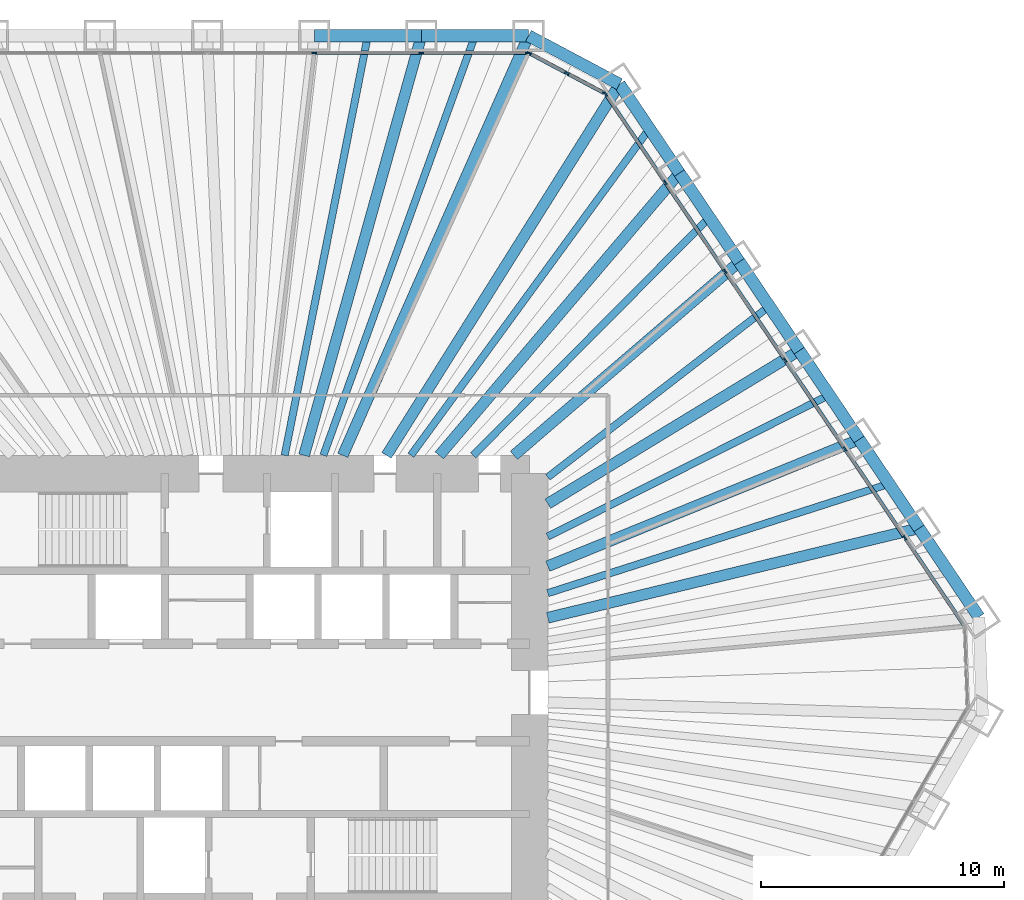
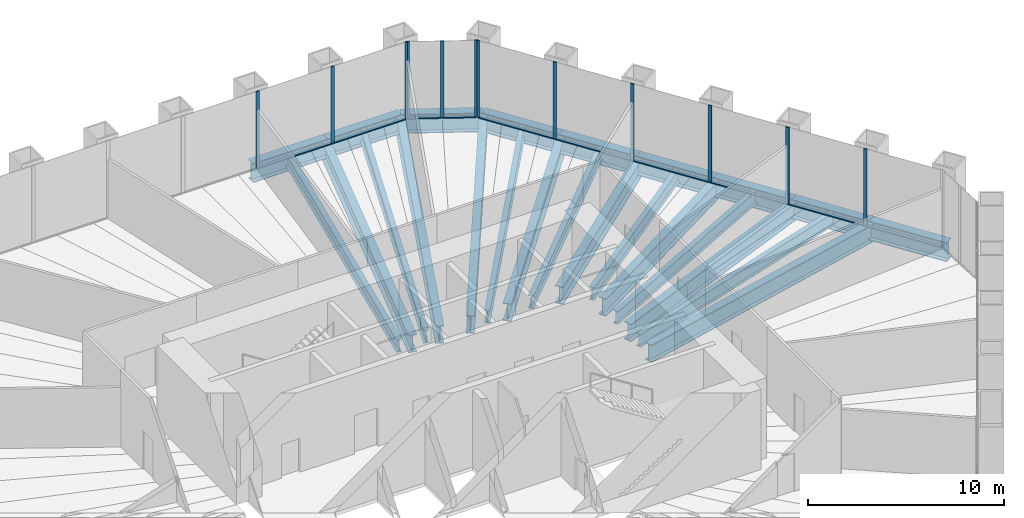
# One storey, part 7 of 13: 24 beams, 22 members, 3 elements without a shape of their own.
"""IFC4 building model written with IfcOpenShell, lengths in metres."""

from ifc_helpers import new_model, si_unit, direction, frame, origin, origin_2d, place, context, subcontext, project, spatial, rectangle, i_section, extrude, material, material_profile, profile_set, type_object, element, aggregate, save


model = new_model("IFC4")

# Units and contexts
model_context = context("Model", 3, precision=1e-05, world=origin(), true_north=direction((0.0, 1.0)))
body_context = subcontext(model_context, "Body", "Model", "MODEL_VIEW")
ifc_project = project(units=[si_unit("LENGTHUNIT", "METRE"), si_unit("AREAUNIT", "SQUARE_METRE"), si_unit("VOLUMEUNIT", "CUBIC_METRE"), si_unit("PLANEANGLEUNIT", "RADIAN"), si_unit("MASSUNIT", "GRAM", prefix="KILO")], contexts=[model_context])

# Site, building, storey
site_placement = place(None, origin())
site = spatial("IfcSite", under=ifc_project, at=site_placement, CompositionType="ELEMENT")
building_placement = place(site_placement, origin())
building = spatial("IfcBuilding", under=site, at=building_placement, Name="Qingtian Harvest Tower", CompositionType="ELEMENT")
storey_placement = place(building_placement, frame((0.0, 0.0, 67.0)))
storey = spatial("IfcBuildingStorey", under=building, at=storey_placement, Name="L13", CompositionType="ELEMENT", Elevation=67.0)

# Beams
ifc_material_1 = material(Name="Steel SM570MC", Category="steel")
ifc_material_profile_1 = material_profile(ifc_material_1, i_section(OverallWidth=0.449951171875, OverallDepth=1.10009765625, WebThickness=0.02197265625, FlangeThickness=0.044921875, at=origin_2d()), Name="H1100x450x22x45")
ifc_profile_set_1 = profile_set([ifc_material_profile_1], Name="Steel SM570MC")
beam_type_1 = type_object("IfcBeamType", Name="Corner floor beam FB8 H1100x450x22x45", PredefinedType="BEAM", material=ifc_profile_set_1)
beam_1_placement = place(storey_placement, frame((11.9560546875, 27.0, -0.75), z_axis=(-0.404898955654, -0.914361436036, 0.0), x_axis=(0.914361436036, -0.404898955654, 0.0)))
element("IfcBeam", 1, at=beam_1_placement, inside=storey, type_object=beam_type_1, Name="Floor beam FB8 N6", PredefinedType="BEAM", context=body_context, shape_type="SweptSolid", body=[
    extrude(i_section(OverallWidth=0.449951171875, OverallDepth=1.10009765625, WebThickness=0.02197265625, FlangeThickness=0.044921875, at=origin_2d()), origin(), (0.0, 0.0, 1.0), 18.86572265625),
])
beam_2_placement = place(storey_placement, frame((15.6982421875, 25.01025390625, -0.75), z_axis=(-0.531622796942, -0.846981228701, 0.0), x_axis=(0.846981228701, -0.531622796942, 0.0)))
element("IfcBeam", 2, at=beam_2_placement, inside=storey, type_object=beam_type_1, Name="Floor beam FB8 NE0", PredefinedType="BEAM", context=body_context, shape_type="SweptSolid", body=[
    extrude(i_section(OverallWidth=0.449951171875, OverallDepth=1.10009765625, WebThickness=0.02197265625, FlangeThickness=0.044921875, at=origin_2d()), origin(), (0.0, 0.0, 1.0), 18.017333984375),
])
ifc_material_2 = material(Name="Steel SM570MC", Category="steel")
ifc_material_profile_2 = material_profile(ifc_material_2, i_section(OverallWidth=0.449951171875, OverallDepth=1.10009765625, WebThickness=0.02197265625, FlangeThickness=0.044921875, at=origin_2d()), Name="H1100x450x22x45")
ifc_profile_set_2 = profile_set([ifc_material_profile_2], Name="Steel SM570MC")
beam_type_2 = type_object("IfcBeamType", Name="Floor beam FB1 H1100x450x22x45", PredefinedType="BEAM", material=ifc_profile_set_2)
beam_3_placement = place(storey_placement, frame((7.551513671875, 27.0, -0.75), z_axis=(-0.269343258019, -0.963044240604, 0.0), x_axis=(0.963044240604, -0.269343258019, 0.0)))
element("IfcBeam", 3, at=beam_3_placement, inside=storey, type_object=beam_type_2, Name="Floor beam FB1 N5", PredefinedType="BEAM", context=body_context, shape_type="SweptSolid", body=[
    extrude(i_section(OverallWidth=0.449951171875, OverallDepth=1.10009765625, WebThickness=0.02197265625, FlangeThickness=0.044921875, at=origin_2d()), origin(), (0.0, 0.0, 1.0), 17.911865234375),
])
beam_4_placement = place(storey_placement, frame((18.1611328125, 21.358642578125, -0.75), z_axis=(-0.647781887327, -0.761825850474, 0.0), x_axis=(0.761825850474, -0.647781887327, 0.0)))
element("IfcBeam", 4, at=beam_4_placement, inside=storey, type_object=beam_type_2, Name="Floor beam FB1 NE1", PredefinedType="BEAM", context=body_context, shape_type="SweptSolid", body=[
    extrude(i_section(OverallWidth=0.449951171875, OverallDepth=1.10009765625, WebThickness=0.02197265625, FlangeThickness=0.044921875, at=origin_2d()), origin(), (0.0, 0.0, 1.0), 15.238037109375),
])
beam_5_placement = place(storey_placement, frame((20.624267578125, 17.70703125, -0.75), z_axis=(-0.75873153072, -0.651403457384, 0.0), x_axis=(0.651403457384, -0.75873153072, 0.0)))
element("IfcBeam", 5, at=beam_5_placement, inside=storey, type_object=beam_type_2, Name="Floor beam FB1 NE2", PredefinedType="BEAM", context=body_context, shape_type="SweptSolid", body=[
    extrude(i_section(OverallWidth=0.449951171875, OverallDepth=1.10009765625, WebThickness=0.02197265625, FlangeThickness=0.044921875, at=origin_2d()), origin(), (0.0, 0.0, 1.0), 12.21533203125),
])
beam_6_placement = place(storey_placement, frame((23.08740234375, 14.0556640625, -0.75), z_axis=(-0.854157261259, -0.520014781558, 0.0), x_axis=(0.520014781558, -0.854157261259, 0.0)))
element("IfcBeam", 6, at=beam_6_placement, inside=storey, type_object=beam_type_2, Name="Floor beam FB1 NE3", PredefinedType="BEAM", context=body_context, shape_type="SweptSolid", body=[
    extrude(i_section(OverallWidth=0.449951171875, OverallDepth=1.10009765625, WebThickness=0.02197265625, FlangeThickness=0.044921875, at=origin_2d()), origin(), (0.0, 0.0, 1.0), 12.1025390625),
])
beam_7_placement = place(storey_placement, frame((25.55029296875, 10.404052734375, -0.75), z_axis=(-0.926156354735, -0.37713977062, 0.0), x_axis=(0.37713977062, -0.926156354735, 0.0)))
element("IfcBeam", 7, at=beam_7_placement, inside=storey, type_object=beam_type_2, Name="Floor beam FB1 NE4", PredefinedType="BEAM", context=body_context, shape_type="SweptSolid", body=[
    extrude(i_section(OverallWidth=0.449951171875, OverallDepth=1.10009765625, WebThickness=0.02197265625, FlangeThickness=0.044921875, at=origin_2d()), origin(), (0.0, 0.0, 1.0), 13.82080078125),
])
beam_8_placement = place(storey_placement, frame((28.013427734375, 6.75244140625, -0.75), z_axis=(-0.972155908389, -0.234334994792, 0.0), x_axis=(0.234334994792, -0.972155908389, 0.0)))
element("IfcBeam", 8, at=beam_8_placement, inside=storey, type_object=beam_type_2, Name="Floor beam FB1 NE5", PredefinedType="BEAM", context=body_context, shape_type="SweptSolid", body=[
    extrude(i_section(OverallWidth=0.449951171875, OverallDepth=1.10009765625, WebThickness=0.02197265625, FlangeThickness=0.044921875, at=origin_2d()), origin(), (0.0, 0.0, 1.0), 15.70068359375),
])
ifc_material_3 = material(Name="Steel SN490B", Category="steel")
ifc_material_profile_3 = material_profile(ifc_material_3, i_section(OverallWidth=0.300048828125, OverallDepth=0.800048828125, WebThickness=0.013916015625, FlangeThickness=0.02587890625, at=origin_2d()), Name="H800x300x14x26")
ifc_profile_set_3 = profile_set([ifc_material_profile_3], Name="Steel SN490B")
beam_type_3 = type_object("IfcBeamType", Name="Floor joist J1 H800x300x14x26", PredefinedType="JOIST", material=ifc_profile_set_3)
beam_9_placement = place(storey_placement, frame((5.349365234375, 27.0, -0.60009765625), z_axis=(-0.19435104803, -0.980932041545, 0.0), x_axis=(0.980932041545, -0.19435104803, 0.0)))
element("IfcBeam", 9, at=beam_9_placement, inside=storey, type_object=beam_type_3, Name="Floor joist J1 N4", PredefinedType="JOIST", context=body_context, shape_type="SweptSolid", body=[
    extrude(i_section(OverallWidth=0.300048828125, OverallDepth=0.800048828125, WebThickness=0.013916015625, FlangeThickness=0.02587890625, at=origin_2d()), origin(), (0.0, 0.0, 1.0), 17.585205078125),
])
beam_10_placement = place(storey_placement, frame((9.75390625, 27.0, -0.60009765625), z_axis=(-0.339766141765, -0.940509951521, 0.0), x_axis=(0.940509951521, -0.339766141765, 0.0)))
element("IfcBeam", 10, at=beam_10_placement, inside=storey, type_object=beam_type_3, Name="Floor joist J1 N5", PredefinedType="JOIST", context=body_context, shape_type="SweptSolid", body=[
    extrude(i_section(OverallWidth=0.300048828125, OverallDepth=0.800048828125, WebThickness=0.013916015625, FlangeThickness=0.02587890625, at=origin_2d()), origin(), (0.0, 0.0, 1.0), 18.341064453125),
])
beam_11_placement = place(storey_placement, frame((16.9296875, 23.1845703125, -0.60009765625), z_axis=(-0.589722175422, -0.80760618857, 0.0), x_axis=(0.80760618857, -0.589722175422, 0.0)))
element("IfcBeam", 11, at=beam_11_placement, inside=storey, type_object=beam_type_3, Name="Floor joist J1 NE0", PredefinedType="JOIST", context=body_context, shape_type="SweptSolid", body=[
    extrude(i_section(OverallWidth=0.300048828125, OverallDepth=0.800048828125, WebThickness=0.013916015625, FlangeThickness=0.02587890625, at=origin_2d()), origin(), (0.0, 0.0, 1.0), 16.635009765625),
])
beam_12_placement = place(storey_placement, frame((19.392822265625, 19.532958984375, -0.60009765625), z_axis=(-0.704560879039, -0.709643549768, 0.0), x_axis=(0.709643549768, -0.704560879039, 0.0)))
element("IfcBeam", 12, at=beam_12_placement, inside=storey, type_object=beam_type_3, Name="Floor joist J1 NE1", PredefinedType="JOIST", context=body_context, shape_type="SweptSolid", body=[
    extrude(i_section(OverallWidth=0.300048828125, OverallDepth=0.800048828125, WebThickness=0.013916015625, FlangeThickness=0.02587890625, at=origin_2d()), origin(), (0.0, 0.0, 1.0), 13.78564453125),
])
beam_13_placement = place(storey_placement, frame((21.855712890625, 15.88134765625, -0.60009765625), z_axis=(-0.79149450594, -0.611176281499, 0.0), x_axis=(0.611176281499, -0.79149450594, 0.0)))
element("IfcBeam", 13, at=beam_13_placement, inside=storey, type_object=beam_type_3, Name="Floor joist J1 NE2", PredefinedType="JOIST", context=body_context, shape_type="SweptSolid", body=[
    extrude(i_section(OverallWidth=0.300048828125, OverallDepth=0.800048828125, WebThickness=0.013916015625, FlangeThickness=0.02587890625, at=origin_2d()), origin(), (0.0, 0.0, 1.0), 11.50439453125),
])
beam_14_placement = place(storey_placement, frame((24.31884765625, 12.229736328125, -0.60009765625), z_axis=(-0.893391632689, -0.449278744924, 0.0), x_axis=(0.449278744924, -0.893391632689, 0.0)))
element("IfcBeam", 14, at=beam_14_placement, inside=storey, type_object=beam_type_3, Name="Floor joist J1 NE3", PredefinedType="JOIST", context=body_context, shape_type="SweptSolid", body=[
    extrude(i_section(OverallWidth=0.300048828125, OverallDepth=0.800048828125, WebThickness=0.013916015625, FlangeThickness=0.02587890625, at=origin_2d()), origin(), (0.0, 0.0, 1.0), 12.949462890625),
])
beam_15_placement = place(storey_placement, frame((26.78173828125, 8.578125, -0.60009765625), z_axis=(-0.952340804978, -0.305036048976, 0.0), x_axis=(0.305036048976, -0.952340804978, 0.0)))
element("IfcBeam", 15, at=beam_15_placement, inside=storey, type_object=beam_type_3, Name="Floor joist J1 NE4", PredefinedType="JOIST", context=body_context, shape_type="SweptSolid", body=[
    extrude(i_section(OverallWidth=0.300048828125, OverallDepth=0.800048828125, WebThickness=0.013916015625, FlangeThickness=0.02587890625, at=origin_2d()), origin(), (0.0, 0.0, 1.0), 14.73388671875),
])

# Curtain wall, members
ifc_material_4 = material(Name="Bronze-anodised aluminium curtain wall", Category="aluminium")
curtain_wall_type = type_object("IfcCurtainWallType", Name="Curtain wall CW2 farm reception", PredefinedType="USERDEFINED", material=ifc_material_4)
curtain_wall_1_placement = place(storey_placement, origin())
curtain_wall_1 = element("IfcCurtainWall", 16, at=curtain_wall_1_placement, inside=storey, type_object=curtain_wall_type, Name="Curtain wall CW2 L13 N0-5", ObjectType="RECESSED CURTAIN WALL", PredefinedType="USERDEFINED")
ifc_material_5 = material(Name="Bronze-anodised aluminium mullion", Category="aluminium")
ifc_material_profile_4 = material_profile(ifc_material_5, rectangle(XDim=0.06494140625, YDim=0.199951171875, at=origin_2d()), Name="AL 65x200")
ifc_profile_set_4 = profile_set([ifc_material_profile_4], Name="Bronze-anodised aluminium mullion")
member_type_1 = type_object("IfcMemberType", Name="Mullion CWM 65x200", PredefinedType="MULLION", material=ifc_profile_set_4)
member_1_placement = place(storey_placement, frame((3.14697265625, 26.300048828125, 0.0), z_axis=(0.0, 0.0, 1.0), x_axis=(0.0, 1.0, 0.0)))
member_1 = element("IfcMember", 17, at=member_1_placement, type_object=member_type_1, Name="CW2 mullion 5", PredefinedType="MULLION", context=body_context, shape_type="SweptSolid", body=[
    extrude(rectangle(XDim=0.06494140625, YDim=0.199951171875, at=origin_2d()), origin(), (0.0, 0.0, 1.0), 4.800048828125),
])
member_2_placement = place(storey_placement, frame((7.551513671875, 26.300048828125, 0.0), z_axis=(0.0, 0.0, 1.0), x_axis=(0.0, 1.0, 0.0)))
member_2 = element("IfcMember", 18, at=member_2_placement, type_object=member_type_1, Name="CW2 mullion 6", PredefinedType="MULLION", context=body_context, shape_type="SweptSolid", body=[
    extrude(rectangle(XDim=0.06494140625, YDim=0.199951171875, at=origin_2d()), origin(), (0.0, 0.0, 1.0), 4.800048828125),
])
member_3_placement = place(storey_placement, frame((11.923583984375, 26.300048828125, 0.0), z_axis=(0.0, 0.0, 1.0), x_axis=(0.0, 1.0, 0.0)))
member_3 = element("IfcMember", 19, at=member_3_placement, type_object=member_type_1, Name="CW2 mullion 7", PredefinedType="MULLION", context=body_context, shape_type="SweptSolid", body=[
    extrude(rectangle(XDim=0.06494140625, YDim=0.199951171875, at=origin_2d()), origin(), (0.0, 0.0, 1.0), 4.800048828125),
])

curtain_wall_2_placement = place(storey_placement, origin())
curtain_wall_2 = element("IfcCurtainWall", 20, at=curtain_wall_2_placement, inside=storey, type_object=curtain_wall_type, Name="Curtain wall CW2 L13 NC", ObjectType="RECESSED CURTAIN WALL", PredefinedType="USERDEFINED")
member_4_placement = place(storey_placement, frame((11.98486328125, 26.28466796875, 0.0), z_axis=(0.0, 0.0, 1.0), x_axis=(0.469471562786, 0.882947592859, 0.0)))
member_4 = element("IfcMember", 21, at=member_4_placement, type_object=member_type_1, Name="CW2 mullion 1", PredefinedType="MULLION", context=body_context, shape_type="SweptSolid", body=[
    extrude(rectangle(XDim=0.06494140625, YDim=0.199951171875, at=origin_2d()), origin(), (0.0, 0.0, 1.0), 4.800048828125),
])
member_5_placement = place(storey_placement, frame((13.537109375, 25.45947265625, 0.0), z_axis=(0.0, 0.0, 1.0), x_axis=(0.469471562786, 0.882947592859, 0.0)))
member_5 = element("IfcMember", 22, at=member_5_placement, type_object=member_type_1, Name="CW2 mullion 2", PredefinedType="MULLION", context=body_context, shape_type="SweptSolid", body=[
    extrude(rectangle(XDim=0.06494140625, YDim=0.199951171875, at=origin_2d()), origin(), (0.0, 0.0, 1.0), 4.800048828125),
])
member_6_placement = place(storey_placement, frame((15.089111328125, 24.634033203125, 0.0), z_axis=(0.0, 0.0, 1.0), x_axis=(0.469471562786, 0.882947592859, 0.0)))
member_6 = element("IfcMember", 23, at=member_6_placement, type_object=member_type_1, Name="CW2 mullion 3", PredefinedType="MULLION", context=body_context, shape_type="SweptSolid", body=[
    extrude(rectangle(XDim=0.06494140625, YDim=0.199951171875, at=origin_2d()), origin(), (0.0, 0.0, 1.0), 4.800048828125),
])

curtain_wall_3_placement = place(storey_placement, origin())
curtain_wall_3 = element("IfcCurtainWall", 24, at=curtain_wall_3_placement, inside=storey, type_object=curtain_wall_type, Name="Curtain wall CW2 L13 NE0-5", ObjectType="RECESSED CURTAIN WALL", PredefinedType="USERDEFINED")
member_7_placement = place(storey_placement, frame((15.135986328125, 24.592041015625, 0.0), z_axis=(0.0, 0.0, 1.0), x_axis=(0.829037572555, 0.559192903471, 0.0)))
member_7 = element("IfcMember", 25, at=member_7_placement, type_object=member_type_1, Name="CW2 mullion 1", PredefinedType="MULLION", context=body_context, shape_type="SweptSolid", body=[
    extrude(rectangle(XDim=0.06494140625, YDim=0.199951171875, at=origin_2d()), origin(), (0.0, 0.0, 1.0), 4.800048828125),
])
member_8_placement = place(storey_placement, frame((17.580810546875, 20.96728515625, 0.0), z_axis=(0.0, 0.0, 1.0), x_axis=(0.829037572555, 0.559192903471, 0.0)))
member_8 = element("IfcMember", 26, at=member_8_placement, type_object=member_type_1, Name="CW2 mullion 2", PredefinedType="MULLION", context=body_context, shape_type="SweptSolid", body=[
    extrude(rectangle(XDim=0.06494140625, YDim=0.199951171875, at=origin_2d()), origin(), (0.0, 0.0, 1.0), 4.800048828125),
])
member_9_placement = place(storey_placement, frame((20.0439453125, 17.315673828125, 0.0), z_axis=(0.0, 0.0, 1.0), x_axis=(0.829037572555, 0.559192903471, 0.0)))
member_9 = element("IfcMember", 27, at=member_9_placement, type_object=member_type_1, Name="CW2 mullion 3", PredefinedType="MULLION", context=body_context, shape_type="SweptSolid", body=[
    extrude(rectangle(XDim=0.06494140625, YDim=0.199951171875, at=origin_2d()), origin(), (0.0, 0.0, 1.0), 4.800048828125),
])
member_10_placement = place(storey_placement, frame((22.507080078125, 13.6640625, 0.0), z_axis=(0.0, 0.0, 1.0), x_axis=(0.829037572555, 0.559192903471, 0.0)))
member_10 = element("IfcMember", 28, at=member_10_placement, type_object=member_type_1, Name="CW2 mullion 4", PredefinedType="MULLION", context=body_context, shape_type="SweptSolid", body=[
    extrude(rectangle(XDim=0.06494140625, YDim=0.199951171875, at=origin_2d()), origin(), (0.0, 0.0, 1.0), 4.800048828125),
])
member_11_placement = place(storey_placement, frame((24.969970703125, 10.012451171875, 0.0), z_axis=(0.0, 0.0, 1.0), x_axis=(0.829037572555, 0.559192903471, 0.0)))
member_11 = element("IfcMember", 29, at=member_11_placement, type_object=member_type_1, Name="CW2 mullion 5", PredefinedType="MULLION", context=body_context, shape_type="SweptSolid", body=[
    extrude(rectangle(XDim=0.06494140625, YDim=0.199951171875, at=origin_2d()), origin(), (0.0, 0.0, 1.0), 4.800048828125),
])
member_12_placement = place(storey_placement, frame((27.43310546875, 6.36083984375, 0.0), z_axis=(0.0, 0.0, 1.0), x_axis=(0.829037572555, 0.559192903471, 0.0)))
member_12 = element("IfcMember", 30, at=member_12_placement, type_object=member_type_1, Name="CW2 mullion 6", PredefinedType="MULLION", context=body_context, shape_type="SweptSolid", body=[
    extrude(rectangle(XDim=0.06494140625, YDim=0.199951171875, at=origin_2d()), origin(), (0.0, 0.0, 1.0), 4.800048828125),
])

# Beams
ifc_material_6 = material(Name="Steel SM570MC", Category="steel")
ifc_material_profile_5 = material_profile(ifc_material_6, i_section(OverallWidth=0.5, OverallDepth=1.199951171875, WebThickness=0.02490234375, FlangeThickness=0.050048828125, at=origin_2d()), Name="H1200x500x25x50")
ifc_profile_set_5 = profile_set([ifc_material_profile_5], Name="Steel SM570MC")
beam_type_4 = type_object("IfcBeamType", Name="Spandrel beam SB1 H1200x500x25x50", PredefinedType="SPANDREL", material=ifc_profile_set_5)
for number, where, z_axis, x_axis, name in (
    (31, (3.14697265625, 27.0, -0.60009765625), (1.0, 0.0, 0.0), (0.0, 1.0, 0.0), "Spandrel SB1 N4"),
    (32, (7.551513671875, 27.0, -0.60009765625), (1.0, 0.0, 0.0), (0.0, 1.0, 0.0), "Spandrel SB1 N5"),
):
    element("IfcBeam", number, at=place(storey_placement, frame(where, z_axis=z_axis, x_axis=x_axis)), inside=storey, type_object=beam_type_4, Name=name, PredefinedType="SPANDREL", context=body_context, shape_type="SweptSolid", body=[
        extrude(i_section(OverallWidth=0.5, OverallDepth=1.199951171875, WebThickness=0.02490234375, FlangeThickness=0.050048828125, at=origin_2d()), origin(), (0.0, 0.0, 1.0), 4.404541015625),
    ])
beam_16_placement = place(storey_placement, frame((11.9560546875, 27.0, -0.60009765625), z_axis=(0.882948599748, -0.469469669099, 0.0), x_axis=(0.469469669099, 0.882948599748, 0.0)))
element("IfcBeam", 33, at=beam_16_placement, inside=storey, type_object=beam_type_4, Name="Spandrel SB1 NC", PredefinedType="SPANDREL", context=body_context, shape_type="SweptSolid", body=[
    extrude(i_section(OverallWidth=0.5, OverallDepth=1.199951171875, WebThickness=0.02490234375, FlangeThickness=0.050048828125, at=origin_2d()), origin(), (0.0, 0.0, 1.0), 4.23828125),
])
beam_17_placement = place(storey_placement, frame((15.6982421875, 25.01025390625, -0.60009765625), z_axis=(0.559169135272, -0.829053603912, 0.0), x_axis=(0.829053603912, 0.559169135272, 0.0)))
element("IfcBeam", 34, at=beam_17_placement, inside=storey, type_object=beam_type_4, Name="Spandrel SB1 NE0", PredefinedType="SPANDREL", context=body_context, shape_type="SweptSolid", body=[
    extrude(i_section(OverallWidth=0.5, OverallDepth=1.199951171875, WebThickness=0.02490234375, FlangeThickness=0.050048828125, at=origin_2d()), origin(), (0.0, 0.0, 1.0), 4.404541015625),
])
beam_18_placement = place(storey_placement, frame((18.1611328125, 21.358642578125, -0.60009765625), z_axis=(0.559207231603, -0.829027907928, 0.0), x_axis=(0.829027907928, 0.559207231603, 0.0)))
element("IfcBeam", 35, at=beam_18_placement, inside=storey, type_object=beam_type_4, Name="Spandrel SB1 NE1", PredefinedType="SPANDREL", context=body_context, shape_type="SweptSolid", body=[
    extrude(i_section(OverallWidth=0.5, OverallDepth=1.199951171875, WebThickness=0.02490234375, FlangeThickness=0.050048828125, at=origin_2d()), origin(), (0.0, 0.0, 1.0), 4.40478515625),
])
for number, where, z_axis, x_axis, name in (
    (36, (20.624267578125, 17.70703125, -0.60009765625), (0.559232928578, -0.829010573874, 0.0), (0.829010573874, 0.559232928578, 0.0), "Spandrel SB1 NE2"),
    (37, (23.08740234375, 14.0556640625, -0.60009765625), (0.559169135272, -0.829053603912, 0.0), (0.829053603912, 0.559169135272, 0.0), "Spandrel SB1 NE3"),
):
    element("IfcBeam", number, at=place(storey_placement, frame(where, z_axis=z_axis, x_axis=x_axis)), inside=storey, type_object=beam_type_4, Name=name, PredefinedType="SPANDREL", context=body_context, shape_type="SweptSolid", body=[
        extrude(i_section(OverallWidth=0.5, OverallDepth=1.199951171875, WebThickness=0.02490234375, FlangeThickness=0.050048828125, at=origin_2d()), origin(), (0.0, 0.0, 1.0), 4.404541015625),
    ])
beam_19_placement = place(storey_placement, frame((25.55029296875, 10.404052734375, -0.60009765625), z_axis=(0.559207231603, -0.829027907928, 0.0), x_axis=(0.829027907928, 0.559207231603, 0.0)))
element("IfcBeam", 38, at=beam_19_placement, inside=storey, type_object=beam_type_4, Name="Spandrel SB1 NE4", PredefinedType="SPANDREL", context=body_context, shape_type="SweptSolid", body=[
    extrude(i_section(OverallWidth=0.5, OverallDepth=1.199951171875, WebThickness=0.02490234375, FlangeThickness=0.050048828125, at=origin_2d()), origin(), (0.0, 0.0, 1.0), 4.40478515625),
])
beam_20_placement = place(storey_placement, frame((28.013427734375, 6.75244140625, -0.60009765625), z_axis=(0.559169135272, -0.829053603912, 0.0), x_axis=(0.829053603912, 0.559169135272, 0.0)))
element("IfcBeam", 39, at=beam_20_placement, inside=storey, type_object=beam_type_4, Name="Spandrel SB1 NE5", PredefinedType="SPANDREL", context=body_context, shape_type="SweptSolid", body=[
    extrude(i_section(OverallWidth=0.5, OverallDepth=1.199951171875, WebThickness=0.02490234375, FlangeThickness=0.050048828125, at=origin_2d()), origin(), (0.0, 0.0, 1.0), 4.404541015625),
])

# Member
ifc_material_7 = material(Name="Bronze-anodised aluminium transom", Category="aluminium")
ifc_material_profile_6 = material_profile(ifc_material_7, rectangle(XDim=0.14990234375, YDim=0.06494140625, at=origin_2d()), Name="AL 65x150")
ifc_profile_set_6 = profile_set([ifc_material_profile_6], Name="Bronze-anodised aluminium transom")
member_type_2 = type_object("IfcMemberType", Name="Transom CWT 65x150", PredefinedType="USERDEFINED", material=ifc_profile_set_6)
member_13_placement = place(storey_placement, frame((3.179443359375, 26.300048828125, 0.032470703125), z_axis=(1.0, 0.0, 0.0), x_axis=(0.0, 1.0, 0.0)))
member_13 = element("IfcMember", 40, at=member_13_placement, type_object=member_type_2, Name="CW2 transom 5.1", ObjectType="TRANSOM", PredefinedType="USERDEFINED", context=body_context, shape_type="SweptSolid", body=[
    extrude(rectangle(XDim=0.14990234375, YDim=0.06494140625, at=origin_2d()), origin(), (0.0, 0.0, 1.0), 4.339599609375),
])

member_14_placement = place(storey_placement, frame((7.583984375, 26.300048828125, 0.032470703125), z_axis=(1.0, 0.0, 0.0), x_axis=(0.0, 1.0, 0.0)))
member_14 = element("IfcMember", 41, at=member_14_placement, type_object=member_type_2, Name="CW2 transom 6.1", ObjectType="TRANSOM", PredefinedType="USERDEFINED", context=body_context, shape_type="SweptSolid", body=[
    extrude(rectangle(XDim=0.14990234375, YDim=0.06494140625, at=origin_2d()), origin(), (0.0, 0.0, 1.0), 4.30712890625),
])

aggregate(curtain_wall_1, [member_1, member_2, member_3, member_13, member_14])

member_15_placement = place(storey_placement, frame((12.013427734375, 26.26953125, 0.032470703125), z_axis=(0.882927080927, -0.469510138086, 0.0), x_axis=(0.469510138086, 0.882927080927, 0.0)))
member_15 = element("IfcMember", 42, at=member_15_placement, type_object=member_type_2, Name="CW2 transom 1.1", ObjectType="TRANSOM", PredefinedType="USERDEFINED", context=body_context, shape_type="SweptSolid", body=[
    extrude(rectangle(XDim=0.14990234375, YDim=0.06494140625, at=origin_2d()), origin(), (0.0, 0.0, 1.0), 1.693115234375),
])

member_16_placement = place(storey_placement, frame((13.565673828125, 25.444091796875, 0.032470703125), z_axis=(0.882986854304, -0.469397715297, 0.0), x_axis=(0.469397715297, 0.882986854304, 0.0)))
member_16 = element("IfcMember", 43, at=member_16_placement, type_object=member_type_2, Name="CW2 transom 2.1", ObjectType="TRANSOM", PredefinedType="USERDEFINED", context=body_context, shape_type="SweptSolid", body=[
    extrude(rectangle(XDim=0.14990234375, YDim=0.06494140625, at=origin_2d()), origin(), (0.0, 0.0, 1.0), 1.69287109375),
])

aggregate(curtain_wall_2, [member_4, member_5, member_6, member_15, member_16])

member_17_placement = place(storey_placement, frame((15.154296875, 24.56494140625, 0.032470703125), z_axis=(0.559178817275, -0.82904707364, 0.0), x_axis=(0.82904707364, 0.559178817275, 0.0)))
member_17 = element("IfcMember", 44, at=member_17_placement, type_object=member_type_2, Name="CW2 transom 1.1", ObjectType="TRANSOM", PredefinedType="USERDEFINED", context=body_context, shape_type="SweptSolid", body=[
    extrude(rectangle(XDim=0.14990234375, YDim=0.06494140625, at=origin_2d()), origin(), (0.0, 0.0, 1.0), 4.30712890625),
])

member_18_placement = place(storey_placement, frame((17.59912109375, 20.9404296875, 0.032470703125), z_axis=(0.559210013199, -0.82902603164, 0.0), x_axis=(0.82902603164, 0.559210013199, 0.0)))
member_18 = element("IfcMember", 45, at=member_18_placement, type_object=member_type_2, Name="CW2 transom 2.1", ObjectType="TRANSOM", PredefinedType="USERDEFINED", context=body_context, shape_type="SweptSolid", body=[
    extrude(rectangle(XDim=0.14990234375, YDim=0.06494140625, at=origin_2d()), origin(), (0.0, 0.0, 1.0), 4.339599609375),
])

member_19_placement = place(storey_placement, frame((20.06201171875, 17.288818359375, 0.032470703125), z_axis=(0.559210013199, -0.82902603164, 0.0), x_axis=(0.82902603164, 0.559210013199, 0.0)))
member_19 = element("IfcMember", 46, at=member_19_placement, type_object=member_type_2, Name="CW2 transom 3.1", ObjectType="TRANSOM", PredefinedType="USERDEFINED", context=body_context, shape_type="SweptSolid", body=[
    extrude(rectangle(XDim=0.14990234375, YDim=0.06494140625, at=origin_2d()), origin(), (0.0, 0.0, 1.0), 4.339599609375),
])

member_20_placement = place(storey_placement, frame((22.525146484375, 13.63720703125, 0.032470703125), z_axis=(0.559210013199, -0.82902603164, 0.0), x_axis=(0.82902603164, 0.559210013199, 0.0)))
member_20 = element("IfcMember", 47, at=member_20_placement, type_object=member_type_2, Name="CW2 transom 4.1", ObjectType="TRANSOM", PredefinedType="USERDEFINED", context=body_context, shape_type="SweptSolid", body=[
    extrude(rectangle(XDim=0.14990234375, YDim=0.06494140625, at=origin_2d()), origin(), (0.0, 0.0, 1.0), 4.339599609375),
])

member_21_placement = place(storey_placement, frame((24.98828125, 9.985595703125, 0.032470703125), z_axis=(0.559171345763, -0.829052113005, 0.0), x_axis=(0.829052113005, 0.559171345763, 0.0)))
member_21 = element("IfcMember", 48, at=member_21_placement, type_object=member_type_2, Name="CW2 transom 5.1", ObjectType="TRANSOM", PredefinedType="USERDEFINED", context=body_context, shape_type="SweptSolid", body=[
    extrude(rectangle(XDim=0.14990234375, YDim=0.06494140625, at=origin_2d()), origin(), (0.0, 0.0, 1.0), 4.339599609375),
])

member_22_placement = place(storey_placement, frame((27.451171875, 6.333984375, 0.032470703125), z_axis=(0.559178817275, -0.82904707364, 0.0), x_axis=(0.82904707364, 0.559178817275, 0.0)))
member_22 = element("IfcMember", 49, at=member_22_placement, type_object=member_type_2, Name="CW2 transom 6.1", ObjectType="TRANSOM", PredefinedType="USERDEFINED", context=body_context, shape_type="SweptSolid", body=[
    extrude(rectangle(XDim=0.14990234375, YDim=0.06494140625, at=origin_2d()), origin(), (0.0, 0.0, 1.0), 4.30712890625),
])

aggregate(curtain_wall_3, [member_7, member_8, member_9, member_10, member_11, member_12, member_17, member_18, member_19, member_20, member_21, member_22])

save(model, "model.ifc")
